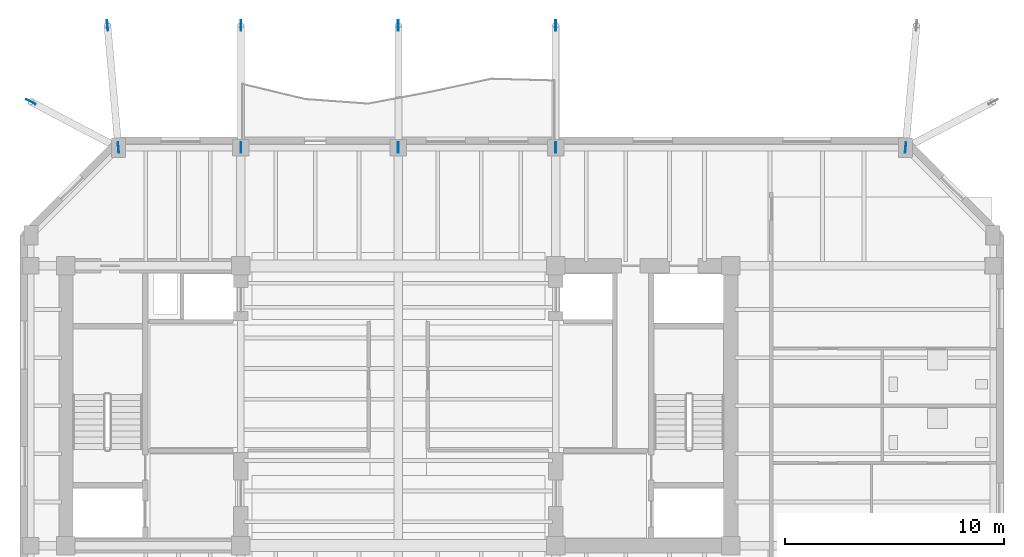
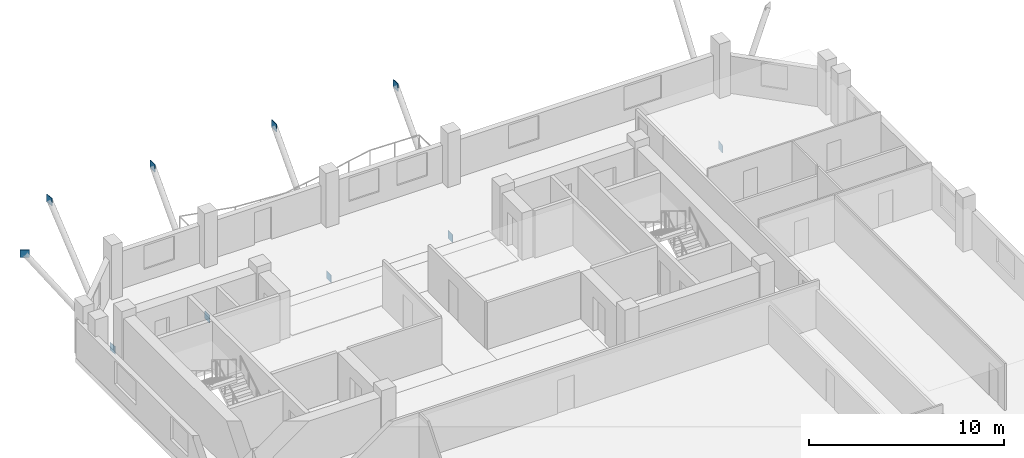
# One storey, part 3 of 11: 10 plates.
"""IFC4 building model written with IfcOpenShell, lengths in metres."""

from ifc_helpers import new_model, si_unit, direction, frame, origin, origin_2d, place, context, subcontext, project, spatial, rectangle, extrude, material, layer, layer_set, type_object, element, save


model = new_model("IFC4")

# Units and contexts
model_context = context("Model", 3, precision=1e-05, world=origin(), true_north=direction((0.0, 1.0)))
body_context = subcontext(model_context, "Body", "Model", "MODEL_VIEW")
ifc_project = project(units=[si_unit("LENGTHUNIT", "METRE"), si_unit("AREAUNIT", "SQUARE_METRE"), si_unit("VOLUMEUNIT", "CUBIC_METRE"), si_unit("PLANEANGLEUNIT", "RADIAN"), si_unit("MASSUNIT", "GRAM", prefix="KILO")], contexts=[model_context])

# Site, building, storey
site_placement = place(None, origin())
site = spatial("IfcSite", under=ifc_project, at=site_placement, CompositionType="ELEMENT")
building_placement = place(site_placement, origin())
building = spatial("IfcBuilding", under=site, at=building_placement, Name="Kranthara Brick Stack", CompositionType="ELEMENT")
storey_placement = place(building_placement, frame((0.0, 0.0, 244.89990234375)))
storey = spatial("IfcBuildingStorey", under=building, at=storey_placement, Name="L64", CompositionType="ELEMENT", Elevation=244.89990234375)

# Plates
ifc_material = material(Name="Steel S355", Category="steel")
ifc_layer = layer(ifc_material, 0.030029296875)
ifc_layer_set = layer_set([ifc_layer], Name="Steel S355")
plate_type = type_object("IfcPlateType", Name="PLT-GUSSET-30", PredefinedType="USERDEFINED", material=ifc_layer_set)
for number, where, z_axis, x_axis, name in (
    (1, (15.199951171875, 39.0, -3.639892578125), (0.0, 0.0, 1.0), (-0.088894296866, 0.996041065411, 0.0), "L64 Brace and Strut End Connection Gusset Plate 111"),
    (2, (14.699951171875, 44.60009765625, 2.41015625), (0.0, 0.0, 1.0), (-0.088894296866, 0.996041065411, 0.0), "L64 Brace and Strut End Connection Gusset Plate 112"),
    (3, (20.800048828125, 39.0, -3.639892578125), (0.0, 0.0, 1.0), (0.0, 1.0, 0.0), "L64 Brace and Strut End Connection Gusset Plate 113"),
    (4, (20.800048828125, 44.60009765625, 2.41015625), (0.0, 0.0, 1.0), (0.0, 1.0, 0.0), "L64 Brace and Strut End Connection Gusset Plate 114"),
    (5, (28.0, 39.0, -3.639892578125), (0.0, 0.0, 1.0), (0.0, 1.0, 0.0), "L64 Brace and Strut End Connection Gusset Plate 115"),
    (6, (28.0, 44.60009765625, 2.41015625), (0.0, 0.0, 1.0), (0.0, 1.0, 0.0), "L64 Brace and Strut End Connection Gusset Plate 116"),
    (7, (35.199951171875, 39.0, -3.639892578125), (0.0, 0.0, 1.0), (0.0, 1.0, 0.0), "L64 Brace and Strut End Connection Gusset Plate 117"),
    (8, (35.199951171875, 44.60009765625, 2.41015625), (0.0, 0.0, 1.0), (0.0, 1.0, 0.0), "L64 Brace and Strut End Connection Gusset Plate 118"),
    (9, (51.199951171875, 39.0, -3.639892578125), (0.0, 0.0, 1.0), (0.088894296866, 0.996041065411, 0.0), "L64 Brace and Strut End Connection Gusset Plate 119"),
    (10, (11.199951171875, 41.10009765625, 2.41015625), (0.0, 0.0, 1.0), (-0.885393625754, 0.464842045725, 0.0), "L64 Brace and Strut End Connection Gusset Plate 121"),
):
    element("IfcPlate", number, at=place(storey_placement, frame(where, z_axis=z_axis, x_axis=x_axis)), inside=storey, type_object=plate_type, Name=name, ObjectType="GUSSET PLATE", PredefinedType="USERDEFINED", context=body_context, shape_type="SweptSolid", body=[
        extrude(rectangle(XDim=0.47998046875, YDim=0.030029296875, at=origin_2d()), origin(), (0.0, 0.0, 1.0), 0.47998046875),
    ])

save(model, "model.ifc")
